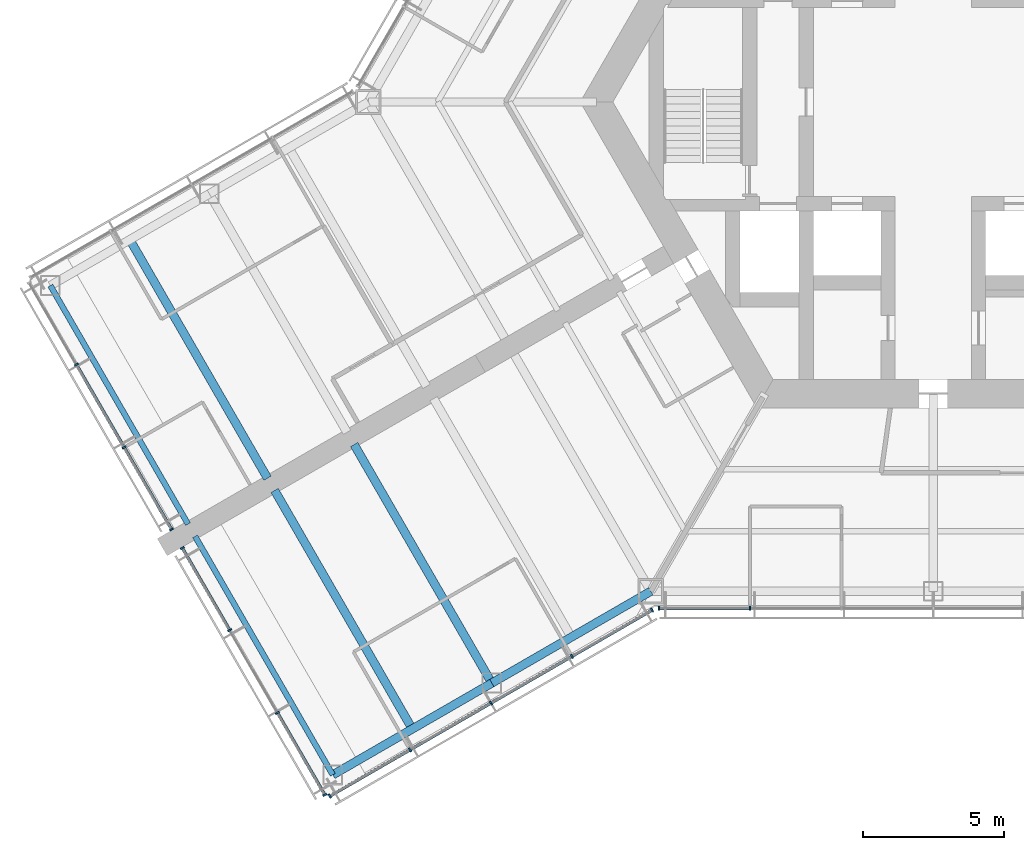
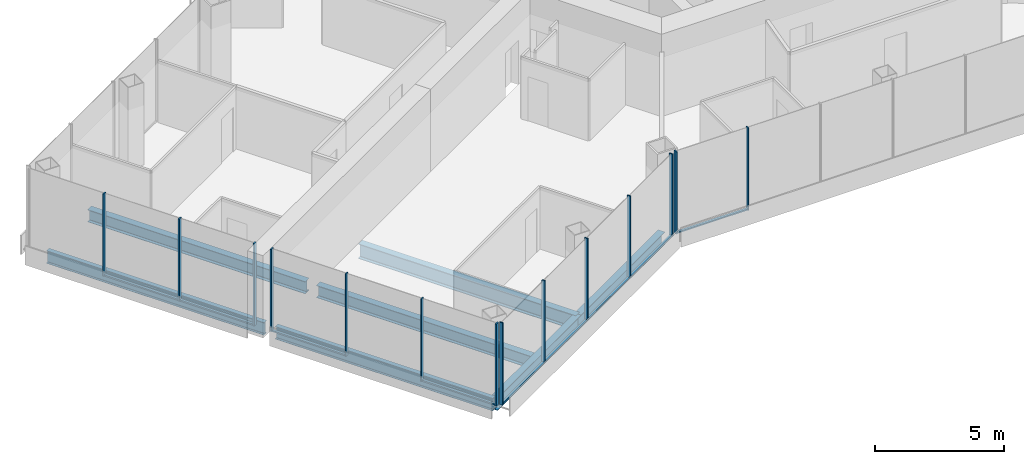
# One storey, part 2 of 18: 23 members, 7 beams, 4 elements without a shape of their own.
"""IFC4 building model written with IfcOpenShell, lengths in metres."""

import ifcopenshell
import ifcopenshell.guid

model = None  # the IFC model being written
_history = None  # IfcOwnerHistory: only IFC2X3 demands one
_inside = {}  # id of a spatial element -> (the spatial element, [elements in it])
_under = {}  # id of a project, library or spatial element -> (it, [spatial elements below it])
_declared = {}  # id of a project -> (the project, [libraries it declares])
_typed = {}  # id of a type object -> (the type object, [elements of that type])
_made_of = {}  # id of a material, layer set ... -> (it, [elements and type objects made of it])


def new_model(schema):
    """Start an empty IFC model of exactly this schema.

    Asked for "IFC4X3", IfcOpenShell would pick the latest addendum, in which some entities
    have other attributes; the version numbers below select the first issue.
    IFC2X3 requires an IfcOwnerHistory on every rooted entity: one is made here for all.
    """
    global model, _history
    if schema == "IFC4X3":
        model = ifcopenshell.file(schema_version=(4, 3, 0, 0))
    else:
        model = ifcopenshell.file(schema=schema)
    _inside.clear()
    _under.clear()
    _declared.clear()
    _typed.clear()
    _made_of.clear()
    _history = None
    if model.schema == "IFC2X3":
        org = make("IfcOrganization", Name="unknown")
        user = make(
            "IfcPersonAndOrganization",
            ThePerson=make("IfcPerson", FamilyName="unknown"),
            TheOrganization=org,
        )
        app = make(
            "IfcApplication",
            ApplicationDeveloper=org,
            Version="unknown",
            ApplicationFullName="unknown",
            ApplicationIdentifier="unknown",
        )
        _history = make(
            "IfcOwnerHistory",
            OwningUser=user,
            OwningApplication=app,
            ChangeAction="ADDED",
            CreationDate=0,
        )
    return model


def make(cls, **values):
    """One entity of the class cls with the attributes given. An attribute that is None is left unset."""
    return model.create_entity(
        cls, **{name: value for name, value in values.items() if value is not None}
    )


def rooted(cls, **values):
    """An entity with a GlobalId (a new one), such as an element, a storey or a relation."""
    return make(cls, GlobalId=ifcopenshell.guid.new(), OwnerHistory=_history, **values)


def si_unit(unit_type, name, prefix=None):
    """IfcSIUnit, for example si_unit("LENGTHUNIT", "METRE", prefix="MILLI")."""
    return make("IfcSIUnit", UnitType=unit_type, Prefix=prefix, Name=name)


def assignment(units):
    """IfcUnitAssignment: the units of a project."""
    return None if units is None else make("IfcUnitAssignment", Units=units)


def point(xyz):
    """IfcCartesianPoint."""
    return None if xyz is None else make("IfcCartesianPoint", Coordinates=xyz)


def direction(xyz):
    """IfcDirection."""
    return None if xyz is None else make("IfcDirection", DirectionRatios=xyz)


def frame(location, z_axis=None, x_axis=None):
    """IfcAxis2Placement3D, a coordinate frame: its origin and axes. An axis left out is left unset."""
    return make(
        "IfcAxis2Placement3D",
        Location=point(location),
        Axis=direction(z_axis),
        RefDirection=direction(x_axis),
    )


def frame_2d(location, x_axis=None):
    """IfcAxis2Placement2D, a coordinate frame in the plane: its origin and x axis."""
    return make(
        "IfcAxis2Placement2D", Location=point(location), RefDirection=direction(x_axis)
    )


def origin():
    """The frame at (0, 0, 0) with its axes left unset."""
    return frame((0.0, 0.0, 0.0))


def origin_2d():
    """The frame at (0, 0) in the plane with its x axis left unset."""
    return frame_2d((0.0, 0.0))


def place(relative_to, where):
    """IfcLocalPlacement: puts the frame where relative to a parent placement (None: the world)."""
    return make(
        "IfcLocalPlacement", PlacementRelTo=relative_to, RelativePlacement=where
    )


def context(
    kind, dimensions, precision=None, world=None, true_north=None, identifier=None
):
    """IfcGeometricRepresentationContext, for example the 3D "Model" context."""
    return make(
        "IfcGeometricRepresentationContext",
        ContextIdentifier=identifier,
        ContextType=kind,
        CoordinateSpaceDimension=dimensions,
        Precision=precision,
        WorldCoordinateSystem=world,
        TrueNorth=true_north,
    )


def subcontext(parent, identifier, kind, view, scale=None):
    """IfcGeometricRepresentationSubContext, for example "Body" below "Model"."""
    return make(
        "IfcGeometricRepresentationSubContext",
        ContextIdentifier=identifier,
        ContextType=kind,
        ParentContext=parent,
        TargetScale=scale,
        TargetView=view,
    )


def project(units=None, contexts=None):
    """IfcProject with its units and contexts."""
    return rooted(
        "IfcProject",
        Name="project",
        RepresentationContexts=contexts,
        UnitsInContext=assignment(units),
    )


def spatial(cls, under=None, at=None, **own):
    """A site, building, storey or space (cls), placed at a placement, below another one or the project."""
    s = rooted(cls, ObjectPlacement=at, **own)
    if under is not None:
        _under.setdefault(under.id(), (under, []))[1].append(s)
    return s


def profile(cls, at=None, kind="AREA", **sizes):
    """A parametric profile (cls). Its sizes go by their IFC names, for example OverallWidth=200.0."""
    return make(cls, ProfileType=kind, Position=at, **sizes)


def rectangle(**sizes):
    """IfcRectangleProfileDef."""
    return profile("IfcRectangleProfileDef", **sizes)


def i_section(**sizes):
    """IfcIShapeProfileDef."""
    return profile("IfcIShapeProfileDef", **sizes)


def extrude(swept, where, along, depth):
    """IfcExtrudedAreaSolid: the profile swept, set in the frame where, extruded along a direction by depth."""
    return make(
        "IfcExtrudedAreaSolid",
        SweptArea=swept,
        Position=where,
        ExtrudedDirection=direction(along),
        Depth=depth,
    )


def shape(context_of_items, identifier, shape_type, items):
    """IfcShapeRepresentation: the items that make up one representation, for example the "Body"."""
    return make(
        "IfcShapeRepresentation",
        ContextOfItems=context_of_items,
        RepresentationIdentifier=identifier,
        RepresentationType=shape_type,
        Items=items,
    )


def material(Name=None, Category=None):
    """IfcMaterial."""
    return make("IfcMaterial", Name=Name, Category=Category)


def material_profile(
    of_material, cross_section, Name=None, Category=None, Priority=None
):
    """IfcMaterialProfile: a cross section and its material."""
    return make(
        "IfcMaterialProfile",
        Name=Name,
        Material=of_material,
        Profile=cross_section,
        Priority=Priority,
        Category=Category,
    )


def profile_set(profiles, Name=None, composite=None):
    """IfcMaterialProfileSet."""
    return make(
        "IfcMaterialProfileSet",
        Name=Name,
        MaterialProfiles=profiles,
        CompositeProfile=composite,
    )


def made_of(thing, what):
    """Note that an element or type object is made of a material, layer set ...; save() writes the relation."""
    if what is not None:
        _made_of.setdefault(what.id(), (what, []))[1].append(thing)
    return thing


def type_object(cls, material=None, **own):
    """A type object (cls), such as IfcWallType, which elements share."""
    return made_of(rooted(cls, **own), material)


def element(
    cls,
    number,
    at=None,
    inside=None,
    cuts=None,
    type_object=None,
    material=None,
    context=None,
    identifier="Body",
    shape_type=None,
    held_by="IfcProductDefinitionShape",
    body=None,
    shapes=None,
    **own,
):
    """One element of the class cls, such as IfcWall. Its Tag is "e" and its number.

    at: its placement. inside: the storey or other place that contains it. cuts: it is an
    opening in that element (IfcRelVoidsElement). A single representation is given by context,
    identifier, shape_type and body (its items); several are given by shapes. held_by: the class
    of the entity that holds the representations. save() writes the other relations.
    """
    e = rooted(cls, Tag="e%d" % number, ObjectPlacement=at, **own)
    if body is not None:
        shapes = [shape(context, identifier, shape_type, body)]
    if shapes is not None:
        e.Representation = make(held_by, Representations=shapes)
    if inside is not None:
        _inside.setdefault(inside.id(), (inside, []))[1].append(e)
    if cuts is not None:
        rooted(
            "IfcRelVoidsElement", RelatingBuildingElement=cuts, RelatedOpeningElement=e
        )
    if type_object is not None:
        _typed.setdefault(type_object.id(), (type_object, []))[1].append(e)
    return made_of(e, material)


def aggregate(whole, parts):
    """IfcRelAggregates: a whole, such as a stair, and the parts it consists of."""
    return rooted("IfcRelAggregates", RelatingObject=whole, RelatedObjects=parts)


def save(model, path):
    """Write the relations noted so far, then the file.

    IfcRelAggregates (storeys below a building ...), IfcRelContainedInSpatialStructure (elements
    in a storey), IfcRelDefinesByType, IfcRelAssociatesMaterial and IfcRelDeclares: one each for
    every whole, place, type object, material and project.
    """
    for whole, parts in _under.values():
        aggregate(whole, parts)
    for where, things in _inside.values():
        rooted(
            "IfcRelContainedInSpatialStructure",
            RelatedElements=things,
            RelatingStructure=where,
        )
    for kind, things in _typed.values():
        rooted("IfcRelDefinesByType", RelatedObjects=things, RelatingType=kind)
    for what, things in _made_of.values():
        rooted("IfcRelAssociatesMaterial", RelatedObjects=things, RelatingMaterial=what)
    for by, libraries in _declared.values():
        rooted("IfcRelDeclares", RelatingContext=by, RelatedDefinitions=libraries)
    model.write(path)


model = new_model("IFC4")

# Units and contexts
model_context = context("Model", 3, precision=1e-05, world=origin(), true_north=direction((0.0, 1.0)))
body_context = subcontext(model_context, "Body", "Model", "MODEL_VIEW")
ifc_project = project(units=[si_unit("LENGTHUNIT", "METRE"), si_unit("AREAUNIT", "SQUARE_METRE"), si_unit("VOLUMEUNIT", "CUBIC_METRE"), si_unit("PLANEANGLEUNIT", "RADIAN"), si_unit("MASSUNIT", "GRAM", prefix="KILO")], contexts=[model_context])

# Site, building, storey
site_placement = place(None, origin())
site = spatial("IfcSite", under=ifc_project, at=site_placement, CompositionType="ELEMENT")
building_placement = place(site_placement, origin())
building = spatial("IfcBuilding", under=site, at=building_placement, Name="Kasaneha Research Tower", CompositionType="ELEMENT")
storey_placement = place(building_placement, frame((0.0, 0.0, 133.10009765625)))
storey = spatial("IfcBuildingStorey", under=building, at=storey_placement, Name="L33", CompositionType="ELEMENT", Elevation=133.10009765625)

# Beams
ifc_material_1 = material(Name="Steel SN490B", Category="steel")
ifc_material_profile_1 = material_profile(ifc_material_1, i_section(OverallWidth=0.300048828125, OverallDepth=0.58203125, WebThickness=0.011962890625, FlangeThickness=0.01708984375, FilletRadius=0.012939453125, at=origin_2d()), Name="H-582x300x12x17")
ifc_profile_set_1 = profile_set([ifc_material_profile_1], Name="Steel SN490B")
beam_type_1 = type_object("IfcBeamType", Name="B2-3 secondary beam H-582x300x12x17", PredefinedType="JOIST", material=ifc_profile_set_1)
for number, where, z_axis, x_axis, name in (
    (1, (-28.44384765625, -4.875, -0.441162109375), (0.499995560238, -0.866027967067, 0.0), (0.866027967067, 0.499995560238, 0.0), "Secondary beam WBBP2 L33"),
    (2, (-18.44384765625, -22.195556640625, -0.441162109375), (-0.499995560238, 0.866027967067, 0.0), (-0.866027967067, -0.499995560238, 0.0), "Secondary beam WBBN2 L33"),
):
    element("IfcBeam", number, at=place(storey_placement, frame(where, z_axis=z_axis, x_axis=x_axis)), inside=storey, type_object=beam_type_1, Name=name, PredefinedType="JOIST", context=body_context, shape_type="SweptSolid", body=[
        extrude(i_section(OverallWidth=0.300048828125, OverallDepth=0.58203125, WebThickness=0.011962890625, FlangeThickness=0.01708984375, FilletRadius=0.012939453125, at=origin_2d()), origin(), (0.0, 0.0, 1.0), 9.75),
    ])

# Curtain wall, members
ifc_material_2 = material(Name="Glass and aluminium", Category="aluminium")
curtain_wall_type = type_object("IfcCurtainWallType", Name="Mid-rise office curtain wall", PredefinedType="USERDEFINED", material=ifc_material_2)
curtain_wall_1_placement = place(storey_placement, origin())
curtain_wall_1 = element("IfcCurtainWall", 3, at=curtain_wall_1_placement, inside=storey, type_object=curtain_wall_type, Name="CW-O2 L33 run 01a", ObjectType="UNITISED CURTAIN WALL", PredefinedType="USERDEFINED")
ifc_material_3 = material(Name="Aluminium 6063-T6", Category="aluminium")
ifc_material_profile_2 = material_profile(ifc_material_3, rectangle(XDim=0.06005859375, YDim=0.14990234375, at=origin_2d()), Name="CW-O2 mullion 60x150")
ifc_profile_set_2 = profile_set([ifc_material_profile_2], Name="Aluminium 6063-T6")
member_type_1 = type_object("IfcMemberType", Name="CW-O2 mullion", PredefinedType="MULLION", material=ifc_profile_set_2)
member_1_placement = place(storey_placement, frame((-9.709228515625, -17.92041015625, 0.0), z_axis=(0.0, 0.0, 1.0), x_axis=(1.0, 0.0, 0.0)))
member_1 = element("IfcMember", 4, at=member_1_placement, type_object=member_type_1, Name="CW-O2 mullion 1", PredefinedType="MULLION", context=body_context, shape_type="SweptSolid", body=[
    extrude(rectangle(XDim=0.06005859375, YDim=0.14990234375, at=origin_2d()), origin(), (0.0, 0.0, 1.0), 3.89990234375),
])
member_2_placement = place(storey_placement, frame((-6.492919921875, -17.92041015625, 0.0), z_axis=(0.0, 0.0, 1.0), x_axis=(1.0, 0.0, 0.0)))
member_2 = element("IfcMember", 5, at=member_2_placement, type_object=member_type_1, Name="CW-O2 mullion 2", PredefinedType="MULLION", context=body_context, shape_type="SweptSolid", body=[
    extrude(rectangle(XDim=0.06005859375, YDim=0.14990234375, at=origin_2d()), origin(), (0.0, 0.0, 1.0), 3.89990234375),
])

curtain_wall_2_placement = place(storey_placement, origin())
curtain_wall_2 = element("IfcCurtainWall", 6, at=curtain_wall_2_placement, inside=storey, type_object=curtain_wall_type, Name="CW-O2 L33 run 10a", ObjectType="UNITISED CURTAIN WALL", PredefinedType="USERDEFINED")
member_3_placement = place(storey_placement, frame((-30.336181640625, -9.297119140625, 0.0), z_axis=(0.0, 0.0, 1.0), x_axis=(0.500000011442, -0.866025397178, 0.0)))
member_3 = element("IfcMember", 7, at=member_3_placement, type_object=member_type_1, Name="CW-O2 mullion 2", PredefinedType="MULLION", context=body_context, shape_type="SweptSolid", body=[
    extrude(rectangle(XDim=0.06005859375, YDim=0.14990234375, at=origin_2d()), origin(), (0.0, 0.0, 1.0), 3.89990234375),
])
member_4_placement = place(storey_placement, frame((-28.64453125, -12.22705078125, 0.0), z_axis=(0.0, 0.0, 1.0), x_axis=(0.500000011442, -0.866025397178, 0.0)))
member_4 = element("IfcMember", 8, at=member_4_placement, type_object=member_type_1, Name="CW-O2 mullion 3", PredefinedType="MULLION", context=body_context, shape_type="SweptSolid", body=[
    extrude(rectangle(XDim=0.06005859375, YDim=0.14990234375, at=origin_2d()), origin(), (0.0, 0.0, 1.0), 3.89990234375),
])
member_5_placement = place(storey_placement, frame((-26.968017578125, -15.131103515625, 0.0), z_axis=(0.0, 0.0, 1.0), x_axis=(0.500000011442, -0.866025397178, 0.0)))
member_5 = element("IfcMember", 9, at=member_5_placement, type_object=member_type_1, Name="CW-O2 mullion 4", PredefinedType="MULLION", context=body_context, shape_type="SweptSolid", body=[
    extrude(rectangle(XDim=0.06005859375, YDim=0.14990234375, at=origin_2d()), origin(), (0.0, 0.0, 1.0), 3.89990234375),
])

curtain_wall_3_placement = place(storey_placement, origin())
curtain_wall_3 = element("IfcCurtainWall", 10, at=curtain_wall_3_placement, inside=storey, type_object=curtain_wall_type, Name="CW-O2 L33 run 11a", ObjectType="UNITISED CURTAIN WALL", PredefinedType="USERDEFINED")
member_6_placement = place(storey_placement, frame((-26.587890625, -15.789306640625, 0.0), z_axis=(0.0, 0.0, 1.0), x_axis=(0.500000011442, -0.866025397178, 0.0)))
member_6 = element("IfcMember", 11, at=member_6_placement, type_object=member_type_1, Name="CW-O2 mullion 1", PredefinedType="MULLION", context=body_context, shape_type="SweptSolid", body=[
    extrude(rectangle(XDim=0.06005859375, YDim=0.14990234375, at=origin_2d()), origin(), (0.0, 0.0, 1.0), 3.89990234375),
])
member_7_placement = place(storey_placement, frame((-24.911376953125, -18.693359375, 0.0), z_axis=(0.0, 0.0, 1.0), x_axis=(0.500000011442, -0.866025397178, 0.0)))
member_7 = element("IfcMember", 12, at=member_7_placement, type_object=member_type_1, Name="CW-O2 mullion 2", PredefinedType="MULLION", context=body_context, shape_type="SweptSolid", body=[
    extrude(rectangle(XDim=0.06005859375, YDim=0.14990234375, at=origin_2d()), origin(), (0.0, 0.0, 1.0), 3.89990234375),
])
member_8_placement = place(storey_placement, frame((-23.2197265625, -21.62353515625, 0.0), z_axis=(0.0, 0.0, 1.0), x_axis=(0.500000011442, -0.866025397178, 0.0)))
member_8 = element("IfcMember", 13, at=member_8_placement, type_object=member_type_1, Name="CW-O2 mullion 3", PredefinedType="MULLION", context=body_context, shape_type="SweptSolid", body=[
    extrude(rectangle(XDim=0.06005859375, YDim=0.14990234375, at=origin_2d()), origin(), (0.0, 0.0, 1.0), 3.89990234375),
])
member_9_placement = place(storey_placement, frame((-21.54296875, -24.527587890625, 0.0), z_axis=(0.0, 0.0, 1.0), x_axis=(0.500000011442, -0.866025397178, 0.0)))
member_9 = element("IfcMember", 14, at=member_9_placement, type_object=member_type_1, Name="CW-O2 mullion 4", PredefinedType="MULLION", context=body_context, shape_type="SweptSolid", body=[
    extrude(rectangle(XDim=0.06005859375, YDim=0.14990234375, at=origin_2d()), origin(), (0.0, 0.0, 1.0), 3.89990234375),
])

curtain_wall_4_placement = place(storey_placement, origin())
curtain_wall_4 = element("IfcCurtainWall", 15, at=curtain_wall_4_placement, inside=storey, type_object=curtain_wall_type, Name="CW-O2 L33 run 12a", ObjectType="UNITISED CURTAIN WALL", PredefinedType="USERDEFINED")
member_10_placement = place(storey_placement, frame((-21.365478515625, -24.5751953125, 0.0), z_axis=(0.0, 0.0, 1.0), x_axis=(0.866025411464, 0.499999986699, 0.0)))
member_10 = element("IfcMember", 16, at=member_10_placement, type_object=member_type_1, Name="CW-O2 mullion 1", PredefinedType="MULLION", context=body_context, shape_type="SweptSolid", body=[
    extrude(rectangle(XDim=0.06005859375, YDim=0.14990234375, at=origin_2d()), origin(), (0.0, 0.0, 1.0), 3.89990234375),
])
member_11_placement = place(storey_placement, frame((-18.52490234375, -22.935302734375, 0.0), z_axis=(0.0, 0.0, 1.0), x_axis=(0.866025411464, 0.499999986699, 0.0)))
member_11 = element("IfcMember", 17, at=member_11_placement, type_object=member_type_1, Name="CW-O2 mullion 2", PredefinedType="MULLION", context=body_context, shape_type="SweptSolid", body=[
    extrude(rectangle(XDim=0.06005859375, YDim=0.14990234375, at=origin_2d()), origin(), (0.0, 0.0, 1.0), 3.89990234375),
])
member_12_placement = place(storey_placement, frame((-15.65869140625, -21.2802734375, 0.0), z_axis=(0.0, 0.0, 1.0), x_axis=(0.866025411464, 0.499999986699, 0.0)))
member_12 = element("IfcMember", 18, at=member_12_placement, type_object=member_type_1, Name="CW-O2 mullion 3", PredefinedType="MULLION", context=body_context, shape_type="SweptSolid", body=[
    extrude(rectangle(XDim=0.06005859375, YDim=0.14990234375, at=origin_2d()), origin(), (0.0, 0.0, 1.0), 3.89990234375),
])
member_13_placement = place(storey_placement, frame((-12.792236328125, -19.62548828125, 0.0), z_axis=(0.0, 0.0, 1.0), x_axis=(0.866025411464, 0.499999986699, 0.0)))
member_13 = element("IfcMember", 19, at=member_13_placement, type_object=member_type_1, Name="CW-O2 mullion 4", PredefinedType="MULLION", context=body_context, shape_type="SweptSolid", body=[
    extrude(rectangle(XDim=0.06005859375, YDim=0.14990234375, at=origin_2d()), origin(), (0.0, 0.0, 1.0), 3.89990234375),
])
member_14_placement = place(storey_placement, frame((-9.951904296875, -17.985595703125, 0.0), z_axis=(0.0, 0.0, 1.0), x_axis=(0.866025411464, 0.499999986699, 0.0)))
member_14 = element("IfcMember", 20, at=member_14_placement, type_object=member_type_1, Name="CW-O2 mullion 5", PredefinedType="MULLION", context=body_context, shape_type="SweptSolid", body=[
    extrude(rectangle(XDim=0.06005859375, YDim=0.14990234375, at=origin_2d()), origin(), (0.0, 0.0, 1.0), 3.89990234375),
])

# Member
ifc_material_4 = material(Name="Aluminium 6063-T6", Category="aluminium")
ifc_material_profile_3 = material_profile(ifc_material_4, rectangle(XDim=0.110107421875, YDim=0.06005859375, at=origin_2d()), Name="CW-O2 transom 110x60")
ifc_profile_set_3 = profile_set([ifc_material_profile_3], Name="Aluminium 6063-T6")
member_type_2 = type_object("IfcMemberType", Name="CW-O2 transom", PredefinedType="USERDEFINED", material=ifc_profile_set_3)
member_15_placement = place(storey_placement, frame((-9.67919921875, -17.92041015625, 0.02978515625), z_axis=(1.0, 0.0, 0.0), x_axis=(0.0, 1.0, 0.0)))
member_15 = element("IfcMember", 21, at=member_15_placement, type_object=member_type_2, Name="CW-O2 transom 1", ObjectType="TRANSOM", PredefinedType="USERDEFINED", context=body_context, shape_type="SweptSolid", body=[
    extrude(rectangle(XDim=0.110107421875, YDim=0.06005859375, at=origin_2d()), origin(), (0.0, 0.0, 1.0), 3.156494140625),
])

aggregate(curtain_wall_1, [member_1, member_2, member_15])

member_16_placement = place(storey_placement, frame((-30.3212890625, -9.322998046875, 0.02978515625), z_axis=(0.499978935311, -0.866037565146, 0.0), x_axis=(0.866037565146, 0.499978935311, 0.0)))
member_16 = element("IfcMember", 22, at=member_16_placement, type_object=member_type_2, Name="CW-O2 transom 2", ObjectType="TRANSOM", PredefinedType="USERDEFINED", context=body_context, shape_type="SweptSolid", body=[
    extrude(rectangle(XDim=0.110107421875, YDim=0.06005859375, at=origin_2d()), origin(), (0.0, 0.0, 1.0), 3.323486328125),
])

member_17_placement = place(storey_placement, frame((-28.629638671875, -12.253173828125, 0.02978515625), z_axis=(0.500021914551, -0.866012751043, 0.0), x_axis=(0.866012751043, 0.500021914551, 0.0)))
member_17 = element("IfcMember", 23, at=member_17_placement, type_object=member_type_2, Name="CW-O2 transom 3", ObjectType="TRANSOM", PredefinedType="USERDEFINED", context=body_context, shape_type="SweptSolid", body=[
    extrude(rectangle(XDim=0.110107421875, YDim=0.06005859375, at=origin_2d()), origin(), (0.0, 0.0, 1.0), 3.293212890625),
])

aggregate(curtain_wall_2, [member_3, member_4, member_5, member_16, member_17])

member_18_placement = place(storey_placement, frame((-26.572998046875, -15.8154296875, 0.02978515625), z_axis=(0.500021914551, -0.866012751043, 0.0), x_axis=(0.866012751043, 0.500021914551, 0.0)))
member_18 = element("IfcMember", 24, at=member_18_placement, type_object=member_type_2, Name="CW-O2 transom 1", ObjectType="TRANSOM", PredefinedType="USERDEFINED", context=body_context, shape_type="SweptSolid", body=[
    extrude(rectangle(XDim=0.110107421875, YDim=0.06005859375, at=origin_2d()), origin(), (0.0, 0.0, 1.0), 3.293212890625),
])

member_19_placement = place(storey_placement, frame((-23.20458984375, -21.6494140625, 0.02978515625), z_axis=(0.500021914551, -0.866012751043, 0.0), x_axis=(0.866012751043, 0.500021914551, 0.0)))
member_19 = element("IfcMember", 25, at=member_19_placement, type_object=member_type_2, Name="CW-O2 transom 3", ObjectType="TRANSOM", PredefinedType="USERDEFINED", context=body_context, shape_type="SweptSolid", body=[
    extrude(rectangle(XDim=0.110107421875, YDim=0.06005859375, at=origin_2d()), origin(), (0.0, 0.0, 1.0), 3.293212890625),
])

aggregate(curtain_wall_3, [member_6, member_7, member_8, member_9, member_18, member_19])

member_20_placement = place(storey_placement, frame((-21.33935546875, -24.56005859375, 0.02978515625), z_axis=(0.866022692473, 0.500004696101, 0.0), x_axis=(-0.500004696101, 0.866022692473, 0.0)))
member_20 = element("IfcMember", 26, at=member_20_placement, type_object=member_type_2, Name="CW-O2 transom 1", ObjectType="TRANSOM", PredefinedType="USERDEFINED", context=body_context, shape_type="SweptSolid", body=[
    extrude(rectangle(XDim=0.110107421875, YDim=0.06005859375, at=origin_2d()), origin(), (0.0, 0.0, 1.0), 3.2197265625),
])

member_21_placement = place(storey_placement, frame((-18.4990234375, -22.920166015625, 0.02978515625), z_axis=(0.86604797581, 0.499960902066, 0.0), x_axis=(-0.499960902066, 0.86604797581, 0.0)))
member_21 = element("IfcMember", 27, at=member_21_placement, type_object=member_type_2, Name="CW-O2 transom 2", ObjectType="TRANSOM", PredefinedType="USERDEFINED", context=body_context, shape_type="SweptSolid", body=[
    extrude(rectangle(XDim=0.110107421875, YDim=0.06005859375, at=origin_2d()), origin(), (0.0, 0.0, 1.0), 3.249755859375),
])

member_22_placement = place(storey_placement, frame((-15.632568359375, -21.265380859375, 0.02978515625), z_axis=(0.866015446554, 0.500017246033, 0.0), x_axis=(-0.500017246033, 0.866015446554, 0.0)))
member_22 = element("IfcMember", 28, at=member_22_placement, type_object=member_type_2, Name="CW-O2 transom 3", ObjectType="TRANSOM", PredefinedType="USERDEFINED", context=body_context, shape_type="SweptSolid", body=[
    extrude(rectangle(XDim=0.110107421875, YDim=0.06005859375, at=origin_2d()), origin(), (0.0, 0.0, 1.0), 3.25),
])

member_23_placement = place(storey_placement, frame((-12.76611328125, -19.6103515625, 0.02978515625), z_axis=(0.866022692473, 0.500004696101, 0.0), x_axis=(-0.500004696101, 0.866022692473, 0.0)))
member_23 = element("IfcMember", 29, at=member_23_placement, type_object=member_type_2, Name="CW-O2 transom 4", ObjectType="TRANSOM", PredefinedType="USERDEFINED", context=body_context, shape_type="SweptSolid", body=[
    extrude(rectangle(XDim=0.110107421875, YDim=0.06005859375, at=origin_2d()), origin(), (0.0, 0.0, 1.0), 3.2197265625),
])

aggregate(curtain_wall_4, [member_10, member_11, member_12, member_13, member_14, member_20, member_21, member_22, member_23])

# Beams
ifc_material_5 = material(Name="Steel SN490B", Category="steel")
ifc_material_profile_4 = material_profile(ifc_material_5, i_section(OverallWidth=0.300048828125, OverallDepth=0.699951171875, WebThickness=0.012939453125, FlangeThickness=0.02392578125, FilletRadius=0.01806640625, at=origin_2d()), Name="H-700x300x13x24")
ifc_profile_set_4 = profile_set([ifc_material_profile_4], Name="Steel SN490B")
beam_type_2 = type_object("IfcBeamType", Name="G4-3 wing girder H-700x300x13x24", PredefinedType="BEAM", material=ifc_profile_set_4)
beam_placement = place(storey_placement, frame((-15.629150390625, -20.570556640625, -0.5), z_axis=(-0.499995560238, 0.866027967067, 0.0), x_axis=(-0.866027967067, -0.499995560238, 0.0)))
element("IfcBeam", 30, at=beam_placement, inside=storey, type_object=beam_type_2, Name="Wing girder WGBN L33", PredefinedType="BEAM", context=body_context, shape_type="SweptSolid", body=[
    extrude(i_section(OverallWidth=0.300048828125, OverallDepth=0.699951171875, WebThickness=0.012939453125, FlangeThickness=0.02392578125, FilletRadius=0.01806640625, at=origin_2d()), origin(), (0.0, 0.0, 1.0), 9.75),
])
ifc_material_6 = material(Name="Steel SN490B", Category="steel")
ifc_material_profile_5 = material_profile(ifc_material_6, i_section(OverallWidth=0.300048828125, OverallDepth=0.58203125, WebThickness=0.011962890625, FlangeThickness=0.01708984375, FilletRadius=0.012939453125, at=origin_2d()), Name="H-582x300x12x17")
ifc_profile_set_5 = profile_set([ifc_material_profile_5], Name="Steel SN490B")
beam_type_3 = type_object("IfcBeamType", Name="SB2-3 spandrel beam H-582x300x12x17", PredefinedType="SPANDREL", material=ifc_profile_set_5)
for number, where, z_axis, x_axis, name in (
    (31, (-10.0, -17.320556640625, -0.441162109375), (-0.866024837091, -0.50000098154, 0.0), (0.50000098154, -0.866024837091, 0.0), "Spandrel beam WSBN1 L33"),
    (32, (-15.629150390625, -20.570556640625, -0.441162109375), (-0.866024837091, -0.50000098154, 0.0), (0.50000098154, -0.866024837091, 0.0), "Spandrel beam WSBN2 L33"),
):
    element("IfcBeam", number, at=place(storey_placement, frame(where, z_axis=z_axis, x_axis=x_axis)), inside=storey, type_object=beam_type_3, Name=name, PredefinedType="SPANDREL", context=body_context, shape_type="SweptSolid", body=[
        extrude(i_section(OverallWidth=0.300048828125, OverallDepth=0.58203125, WebThickness=0.011962890625, FlangeThickness=0.01708984375, FilletRadius=0.012939453125, at=origin_2d()), origin(), (0.0, 0.0, 1.0), 6.5),
    ])
ifc_material_7 = material(Name="Steel SN490B", Category="steel")
ifc_material_profile_6 = material_profile(ifc_material_7, i_section(OverallWidth=0.199951171875, OverallDepth=0.60009765625, WebThickness=0.010986328125, FlangeThickness=0.01708984375, FilletRadius=0.012939453125, at=origin_2d()), Name="H-600x200x11x17")
ifc_profile_set_6 = profile_set([ifc_material_profile_6], Name="Steel SN490B")
beam_type_4 = type_object("IfcBeamType", Name="SB3-3 spandrel beam H-600x200x11x17", PredefinedType="SPANDREL", material=ifc_profile_set_6)
for number, where, z_axis, x_axis, name in (
    (33, (-31.25830078125, -6.5, -0.4501953125), (0.499995560238, -0.866027967067, 0.0), (0.866027967067, 0.499995560238, 0.0), "Spandrel beam WTBP L33"),
    (34, (-21.25830078125, -23.820556640625, -0.4501953125), (-0.499995560238, 0.866027967067, 0.0), (-0.866027967067, -0.499995560238, 0.0), "Spandrel beam WTBN L33"),
):
    element("IfcBeam", number, at=place(storey_placement, frame(where, z_axis=z_axis, x_axis=x_axis)), inside=storey, type_object=beam_type_4, Name=name, PredefinedType="SPANDREL", context=body_context, shape_type="SweptSolid", body=[
        extrude(i_section(OverallWidth=0.199951171875, OverallDepth=0.60009765625, WebThickness=0.010986328125, FlangeThickness=0.01708984375, FilletRadius=0.012939453125, at=origin_2d()), origin(), (0.0, 0.0, 1.0), 9.75),
    ])

save(model, "model.ifc")
